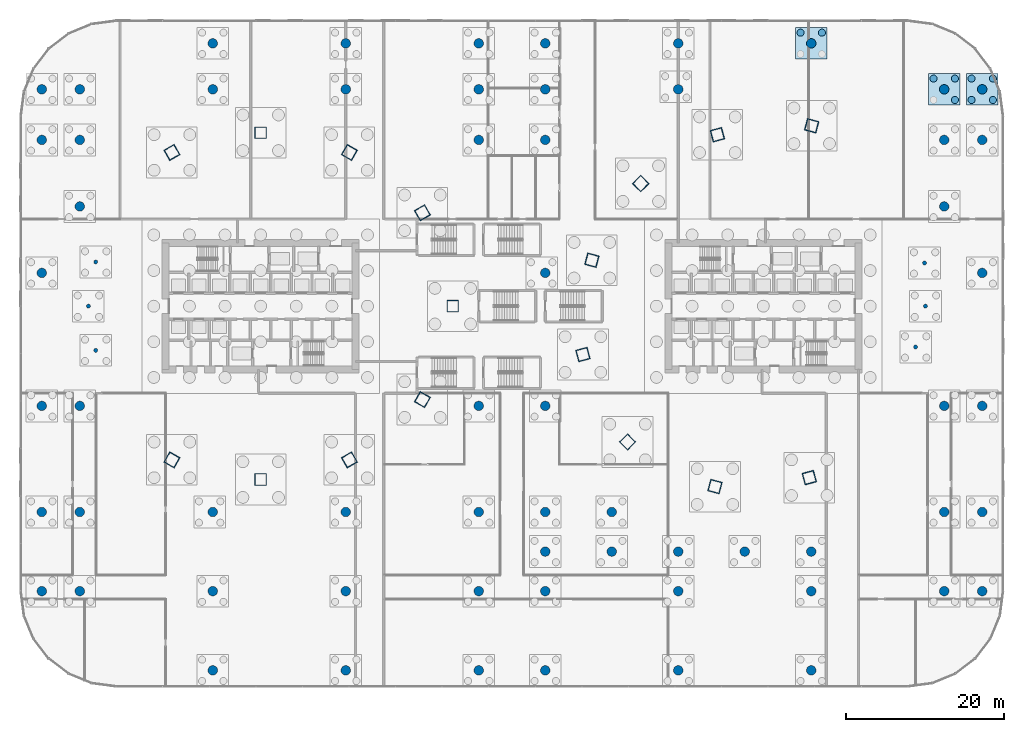
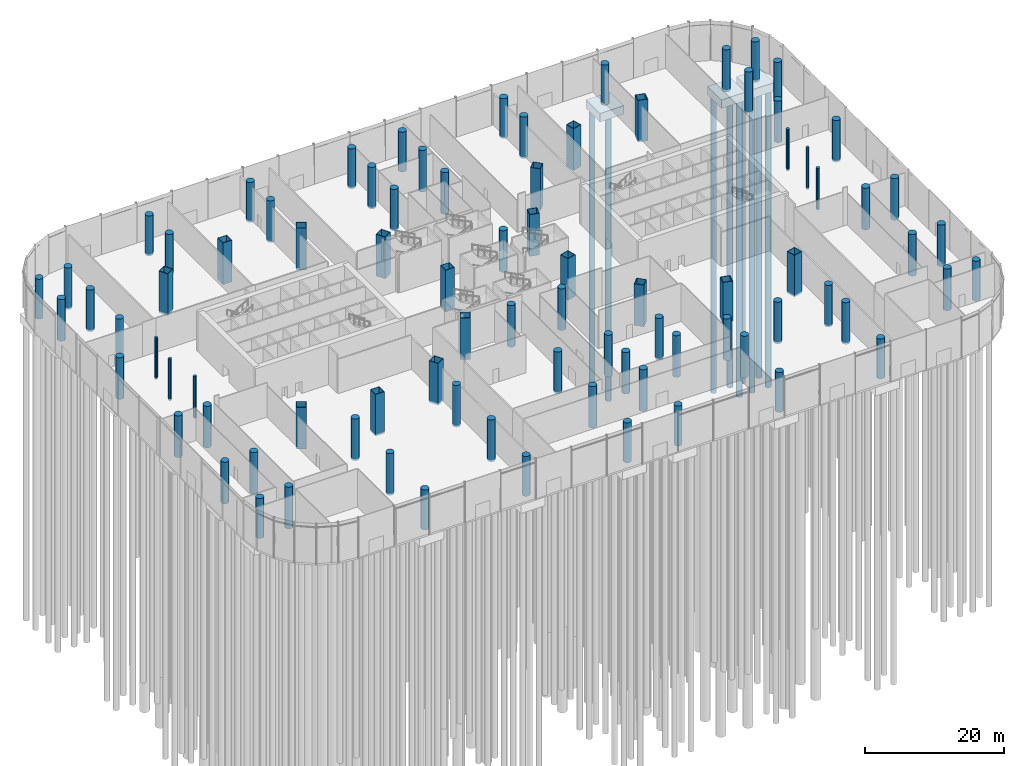
# One storey, part 3 of 41: 85 columns, 9 piles, 3 footings.
"""IFC4 building model written with IfcOpenShell, lengths in metres."""

from ifc_helpers import new_model, si_unit, direction, frame, origin, origin_2d, place, context, subcontext, project, spatial, rectangle, hollow_rectangle, circle, extrude, material, material_profile, profile_set, type_object, element, save


model = new_model("IFC4")

# Units and contexts
model_context = context("Model", 3, precision=1e-05, world=origin(), true_north=direction((0.0, 1.0)))
body_context = subcontext(model_context, "Body", "Model", "MODEL_VIEW")
ifc_project = project(units=[si_unit("LENGTHUNIT", "METRE"), si_unit("AREAUNIT", "SQUARE_METRE"), si_unit("VOLUMEUNIT", "CUBIC_METRE"), si_unit("PLANEANGLEUNIT", "RADIAN"), si_unit("MASSUNIT", "GRAM", prefix="KILO")], contexts=[model_context])

# Site, building, storey
site_placement = place(None, origin())
site = spatial("IfcSite", under=ifc_project, at=site_placement, CompositionType="ELEMENT")
building_placement = place(site_placement, origin())
building = spatial("IfcBuilding", under=site, at=building_placement, Name="Rimbun Link Towers", CompositionType="ELEMENT")
storey_placement = place(building_placement, origin())
storey = spatial("IfcBuildingStorey", under=building, at=storey_placement, Name="L00", CompositionType="ELEMENT", Elevation=0.0)

# Footings
ifc_material_1 = material(Name="Concrete C50/60", Category="concrete")
footing_type = type_object("IfcFootingType", Name="PILE CAP 4000x4000x1500", PredefinedType="PILE_CAP", material=ifc_material_1)
for number, where, z_axis, x_axis, name in (
    (1, (37.800048828125, 33.199951171875, -1.800048828125), (0.0, 0.0, 1.0), (1.0, 0.0, 0.0), "Pad cap +37.8 +33.2"),
    (2, (54.60009765625, 27.39990234375, -1.800048828125), (0.0, 0.0, 1.0), (1.0, 0.0, 0.0), "Pad cap +54.6 +27.4"),
    (3, (59.39990234375, 27.39990234375, -1.800048828125), (0.0, 0.0, 1.0), (1.0, 0.0, 0.0), "Pad cap +59.4 +27.4"),
):
    element("IfcFooting", number, at=place(storey_placement, frame(where, z_axis=z_axis, x_axis=x_axis)), inside=storey, type_object=footing_type, Name=name, PredefinedType="PILE_CAP", context=body_context, shape_type="SweptSolid", body=[
        extrude(rectangle(XDim=4.0, YDim=4.0, at=origin_2d()), origin(), (0.0, 0.0, 1.0), 1.5),
    ])

# Piles
ifc_material_2 = material(Name="Concrete C40/50", Category="concrete")
ifc_material_profile_1 = material_profile(ifc_material_2, circle(Radius=0.449951171875, at=origin_2d()), Name="PILE D900")
ifc_profile_set_1 = profile_set([ifc_material_profile_1], Name="Concrete C40/50")
pile_type = type_object("IfcPileType", Name="PILE D900", PredefinedType="BORED", material=ifc_profile_set_1)
for number, where, z_axis, x_axis, name in (
    (4, (36.449951171875, 34.550048828125, -1.699951171875), (0.0, 0.0, -1.0), (1.0, 0.0, 0.0), "Pile PD +37.8 +33.2 02"),
    (5, (39.14990234375, 34.550048828125, -1.699951171875), (0.0, 0.0, -1.0), (1.0, 0.0, 0.0), "Pile PD +37.8 +33.2 04"),
    (6, (53.25, 28.75, -1.699951171875), (0.0, 0.0, -1.0), (1.0, 0.0, 0.0), "Pile PD +54.6 +27.4 02"),
    (7, (55.949951171875, 26.050048828125, -1.699951171875), (0.0, 0.0, -1.0), (1.0, 0.0, 0.0), "Pile PD +54.6 +27.4 03"),
    (8, (55.949951171875, 28.75, -1.699951171875), (0.0, 0.0, -1.0), (1.0, 0.0, 0.0), "Pile PD +54.6 +27.4 04"),
    (9, (58.050048828125, 26.050048828125, -1.699951171875), (0.0, 0.0, -1.0), (1.0, 0.0, 0.0), "Pile PD +59.4 +27.4 01"),
    (10, (58.050048828125, 28.75, -1.699951171875), (0.0, 0.0, -1.0), (1.0, 0.0, 0.0), "Pile PD +59.4 +27.4 02"),
    (11, (60.75, 26.050048828125, -1.699951171875), (0.0, 0.0, -1.0), (1.0, 0.0, 0.0), "Pile PD +59.4 +27.4 03"),
    (12, (60.75, 28.75, -1.699951171875), (0.0, 0.0, -1.0), (1.0, 0.0, 0.0), "Pile PD +59.4 +27.4 04"),
):
    element("IfcPile", number, at=place(storey_placement, frame(where, z_axis=z_axis, x_axis=x_axis)), inside=storey, type_object=pile_type, Name=name, PredefinedType="BORED", context=body_context, shape_type="SweptSolid", body=[
        extrude(circle(Radius=0.449951171875, at=origin_2d()), origin(), (0.0, 0.0, 1.0), 52.0),
    ])

# Columns
ifc_material_3 = material(Name="Steel S460N", Category="steel")
ifc_material_profile_2 = material_profile(ifc_material_3, hollow_rectangle(XDim=1.5, YDim=1.5, WallThickness=0.070068359375, at=origin_2d()), Name="BOX 1500x1500x70")
ifc_profile_set_2 = profile_set([ifc_material_profile_2], Name="Steel S460N")
column_type_1 = type_object("IfcColumnType", Name="BOX 1500x1500x70", PredefinedType="COLUMN", material=ifc_profile_set_2)
for number, where, z_axis, x_axis, name in (
    (13, (-7.4873046875, 0.0, -0.300048828125), (0.0, 0.0, 1.0), (1.0, 0.0, 0.0), "Mega column T1 L00 00"),
    (14, (-11.316650390625, 11.797119140625, -0.300048828125), (0.0, 0.0, 1.0), (0.866025403784, 0.5, 0.0), "Mega column T1 L00 02"),
    (15, (-20.538818359375, 19.418212890625, -0.300048828125), (0.0, 0.0, 1.0), (0.5, 0.866025403784, 0.0), "Mega column T1 L00 04"),
    (16, (-31.75, 21.904296875, -0.300048828125), (0.0, 0.0, 1.0), (0.0, 1.0, 0.0), "Mega column T1 L00 06"),
    (17, (-42.961181640625, 19.418212890625, -0.300048828125), (0.0, 0.0, 1.0), (-0.5, 0.866025403784, 0.0), "Mega column T1 L00 08"),
    (18, (-42.961181640625, -19.418212890625, -0.300048828125), (0.0, 0.0, 1.0), (-0.5, -0.866025403784, 0.0), "Mega column T1 L00 16"),
    (19, (-31.75, -21.904296875, -0.300048828125), (0.0, 0.0, 1.0), (0.0, -1.0, 0.0), "Mega column T1 L00 18"),
    (20, (-20.538818359375, -19.418212890625, -0.300048828125), (0.0, 0.0, 1.0), (0.5, -0.866025403784, 0.0), "Mega column T1 L00 20"),
    (21, (-11.316650390625, -11.797119140625, -0.300048828125), (0.0, 0.0, 1.0), (0.866025403784, -0.5, 0.0), "Mega column T1 L00 22"),
    (22, (37.856689453125, 22.790283203125, -0.300048828125), (0.0, 0.0, 1.0), (0.258819045103, 0.965925826289, 0.0), "Mega column T2 L00 02"),
    (23, (25.94677734375, 21.658203125, -0.300048828125), (0.0, 0.0, 1.0), (-0.258819045103, 0.965925826289, 0.0), "Mega column T2 L00 04"),
    (24, (16.261474609375, 15.488525390625, -0.300048828125), (0.0, 0.0, 1.0), (-0.707106781187, 0.707106781187, 0.0), "Mega column T2 L00 06"),
    (25, (10.091796875, 5.80322265625, -0.300048828125), (0.0, 0.0, 1.0), (-0.965925826289, 0.258819045103, 0.0), "Mega column T2 L00 08"),
    (26, (8.959716796875, -6.106689453125, -0.300048828125), (0.0, 0.0, 1.0), (-0.965925826289, -0.258819045103, 0.0), "Mega column T2 L00 10"),
    (27, (14.59375, -17.15625, -0.300048828125), (0.0, 0.0, 1.0), (-0.707106781187, -0.707106781187, 0.0), "Mega column T2 L00 12"),
    (28, (25.643310546875, -22.790283203125, -0.300048828125), (0.0, 0.0, 1.0), (-0.258819045103, -0.965925826289, 0.0), "Mega column T2 L00 14"),
    (29, (37.55322265625, -21.658203125, -0.300048828125), (0.0, 0.0, 1.0), (0.258819045103, -0.965925826289, 0.0), "Mega column T2 L00 16"),
):
    element("IfcColumn", number, at=place(storey_placement, frame(where, z_axis=z_axis, x_axis=x_axis)), inside=storey, type_object=column_type_1, Name=name, PredefinedType="COLUMN", context=body_context, shape_type="SweptSolid", body=[
        extrude(hollow_rectangle(XDim=1.5, YDim=1.5, WallThickness=0.070068359375, at=origin_2d()), origin(), (0.0, 0.0, 1.0), 7.300048828125),
    ])
ifc_material_4 = material(Name="Concrete C80/95", Category="concrete")
ifc_material_profile_3 = material_profile(ifc_material_4, circle(Radius=0.60009765625, at=origin_2d()), Name="RC D1200")
ifc_profile_set_3 = profile_set([ifc_material_profile_3], Name="Concrete C80/95")
column_type_2 = type_object("IfcColumnType", Name="RC D1200", PredefinedType="COLUMN", material=ifc_profile_set_3)
column_1_placement = place(storey_placement, frame((-59.39990234375, -36.0, -0.300048828125), z_axis=(0.0, 0.0, 1.0), x_axis=(1.0, 0.0, 0.0)))
element("IfcColumn", 30, at=column_1_placement, inside=storey, type_object=column_type_2, Name="Column L00 -59.4 -36.0", PredefinedType="COLUMN", context=body_context, shape_type="SweptSolid", body=[
    extrude(circle(Radius=0.60009765625, at=origin_2d()), origin(), (0.0, 0.0, 1.0), 7.0),
])
for number, where, z_axis, x_axis, name in (
    (31, (-59.39990234375, -26.0, -0.300048828125), (0.0, 0.0, 1.0), (1.0, 0.0, 0.0), "Column L00 -59.4 -26.0"),
    (32, (-59.39990234375, -12.60009765625, -0.300048828125), (0.0, 0.0, 1.0), (1.0, 0.0, 0.0), "Column L00 -59.4 -12.6"),
    (33, (-59.39990234375, 4.199951171875, -0.300048828125), (0.0, 0.0, 1.0), (1.0, 0.0, 0.0), "Column L00 -59.4 +4.2"),
    (34, (-59.39990234375, 21.0, -0.300048828125), (0.0, 0.0, 1.0), (1.0, 0.0, 0.0), "Column L00 -59.4 +21.0"),
):
    element("IfcColumn", number, at=place(storey_placement, frame(where, z_axis=z_axis, x_axis=x_axis)), inside=storey, type_object=column_type_2, Name=name, PredefinedType="COLUMN", context=body_context, shape_type="SweptSolid", body=[
        extrude(circle(Radius=0.60009765625, at=origin_2d()), origin(), (0.0, 0.0, 1.0), 7.300048828125),
    ])
column_2_placement = place(storey_placement, frame((-59.39990234375, 27.39990234375, -0.300048828125), z_axis=(0.0, 0.0, 1.0), x_axis=(1.0, 0.0, 0.0)))
element("IfcColumn", 35, at=column_2_placement, inside=storey, type_object=column_type_2, Name="Column L00 -59.4 +27.4", PredefinedType="COLUMN", context=body_context, shape_type="SweptSolid", body=[
    extrude(circle(Radius=0.60009765625, at=origin_2d()), origin(), (0.0, 0.0, 1.0), 7.0),
])
for number, where, z_axis, x_axis, name in (
    (36, (-54.60009765625, -36.0, -0.300048828125), (0.0, 0.0, 1.0), (1.0, 0.0, 0.0), "Column L00 -54.6 -36.0"),
    (37, (-54.60009765625, -26.0, -0.300048828125), (0.0, 0.0, 1.0), (1.0, 0.0, 0.0), "Column L00 -54.6 -26.0"),
    (38, (-54.60009765625, -12.60009765625, -0.300048828125), (0.0, 0.0, 1.0), (1.0, 0.0, 0.0), "Column L00 -54.6 -12.6"),
    (39, (-54.60009765625, 12.60009765625, -0.300048828125), (0.0, 0.0, 1.0), (1.0, 0.0, 0.0), "Column L00 -54.6 +12.6"),
    (40, (-54.60009765625, 21.0, -0.300048828125), (0.0, 0.0, 1.0), (1.0, 0.0, 0.0), "Column L00 -54.6 +21.0"),
    (41, (-54.60009765625, 27.39990234375, -0.300048828125), (0.0, 0.0, 1.0), (1.0, 0.0, 0.0), "Column L00 -54.6 +27.4"),
):
    element("IfcColumn", number, at=place(storey_placement, frame(where, z_axis=z_axis, x_axis=x_axis)), inside=storey, type_object=column_type_2, Name=name, PredefinedType="COLUMN", context=body_context, shape_type="SweptSolid", body=[
        extrude(circle(Radius=0.60009765625, at=origin_2d()), origin(), (0.0, 0.0, 1.0), 7.300048828125),
    ])
column_3_placement = place(storey_placement, frame((-37.800048828125, -46.0, -0.300048828125), z_axis=(0.0, 0.0, 1.0), x_axis=(1.0, 0.0, 0.0)))
element("IfcColumn", 42, at=column_3_placement, inside=storey, type_object=column_type_2, Name="Column L00 -37.8 -46.0", PredefinedType="COLUMN", context=body_context, shape_type="SweptSolid", body=[
    extrude(circle(Radius=0.60009765625, at=origin_2d()), origin(), (0.0, 0.0, 1.0), 7.0),
])
for number, where, z_axis, x_axis, name in (
    (43, (-37.800048828125, -36.0, -0.300048828125), (0.0, 0.0, 1.0), (1.0, 0.0, 0.0), "Column L00 -37.8 -36.0"),
    (44, (-37.800048828125, -26.0, -0.300048828125), (0.0, 0.0, 1.0), (1.0, 0.0, 0.0), "Column L00 -37.8 -26.0"),
    (45, (-37.800048828125, 27.39990234375, -0.300048828125), (0.0, 0.0, 1.0), (1.0, 0.0, 0.0), "Column L00 -37.8 +27.4"),
):
    element("IfcColumn", number, at=place(storey_placement, frame(where, z_axis=z_axis, x_axis=x_axis)), inside=storey, type_object=column_type_2, Name=name, PredefinedType="COLUMN", context=body_context, shape_type="SweptSolid", body=[
        extrude(circle(Radius=0.60009765625, at=origin_2d()), origin(), (0.0, 0.0, 1.0), 7.300048828125),
    ])
for number, where, z_axis, x_axis, name in (
    (46, (-37.800048828125, 33.199951171875, -0.300048828125), (0.0, 0.0, 1.0), (1.0, 0.0, 0.0), "Column L00 -37.8 +33.2"),
    (47, (-21.0, -46.0, -0.300048828125), (0.0, 0.0, 1.0), (1.0, 0.0, 0.0), "Column L00 -21.0 -46.0"),
):
    element("IfcColumn", number, at=place(storey_placement, frame(where, z_axis=z_axis, x_axis=x_axis)), inside=storey, type_object=column_type_2, Name=name, PredefinedType="COLUMN", context=body_context, shape_type="SweptSolid", body=[
        extrude(circle(Radius=0.60009765625, at=origin_2d()), origin(), (0.0, 0.0, 1.0), 7.0),
    ])
for number, where, z_axis, x_axis, name in (
    (48, (-21.0, -36.0, -0.300048828125), (0.0, 0.0, 1.0), (1.0, 0.0, 0.0), "Column L00 -21.0 -36.0"),
    (49, (-21.0, -26.0, -0.300048828125), (0.0, 0.0, 1.0), (1.0, 0.0, 0.0), "Column L00 -21.0 -26.0"),
    (50, (-21.0, 27.39990234375, -0.300048828125), (0.0, 0.0, 1.0), (1.0, 0.0, 0.0), "Column L00 -21.0 +27.4"),
):
    element("IfcColumn", number, at=place(storey_placement, frame(where, z_axis=z_axis, x_axis=x_axis)), inside=storey, type_object=column_type_2, Name=name, PredefinedType="COLUMN", context=body_context, shape_type="SweptSolid", body=[
        extrude(circle(Radius=0.60009765625, at=origin_2d()), origin(), (0.0, 0.0, 1.0), 7.300048828125),
    ])
for number, where, z_axis, x_axis, name in (
    (51, (-21.0, 33.199951171875, -0.300048828125), (0.0, 0.0, 1.0), (1.0, 0.0, 0.0), "Column L00 -21.0 +33.2"),
    (52, (-4.199951171875, -46.0, -0.300048828125), (0.0, 0.0, 1.0), (1.0, 0.0, 0.0), "Column L00 -4.2 -46.0"),
):
    element("IfcColumn", number, at=place(storey_placement, frame(where, z_axis=z_axis, x_axis=x_axis)), inside=storey, type_object=column_type_2, Name=name, PredefinedType="COLUMN", context=body_context, shape_type="SweptSolid", body=[
        extrude(circle(Radius=0.60009765625, at=origin_2d()), origin(), (0.0, 0.0, 1.0), 7.0),
    ])
for number, where, z_axis, x_axis, name in (
    (53, (-4.199951171875, -36.0, -0.300048828125), (0.0, 0.0, 1.0), (1.0, 0.0, 0.0), "Column L00 -4.2 -36.0"),
    (54, (-4.199951171875, -26.0, -0.300048828125), (0.0, 0.0, 1.0), (1.0, 0.0, 0.0), "Column L00 -4.2 -26.0"),
    (55, (-4.199951171875, -12.60009765625, -0.300048828125), (0.0, 0.0, 1.0), (1.0, 0.0, 0.0), "Column L00 -4.2 -12.6"),
    (56, (-4.199951171875, 21.0, -0.300048828125), (0.0, 0.0, 1.0), (1.0, 0.0, 0.0), "Column L00 -4.2 +21.0"),
    (57, (-4.199951171875, 27.39990234375, -0.300048828125), (0.0, 0.0, 1.0), (1.0, 0.0, 0.0), "Column L00 -4.2 +27.4"),
):
    element("IfcColumn", number, at=place(storey_placement, frame(where, z_axis=z_axis, x_axis=x_axis)), inside=storey, type_object=column_type_2, Name=name, PredefinedType="COLUMN", context=body_context, shape_type="SweptSolid", body=[
        extrude(circle(Radius=0.60009765625, at=origin_2d()), origin(), (0.0, 0.0, 1.0), 7.300048828125),
    ])
for number, where, z_axis, x_axis, name in (
    (58, (-4.199951171875, 33.199951171875, -0.300048828125), (0.0, 0.0, 1.0), (1.0, 0.0, 0.0), "Column L00 -4.2 +33.2"),
    (59, (4.199951171875, -46.0, -0.300048828125), (0.0, 0.0, 1.0), (1.0, 0.0, 0.0), "Column L00 +4.2 -46.0"),
):
    element("IfcColumn", number, at=place(storey_placement, frame(where, z_axis=z_axis, x_axis=x_axis)), inside=storey, type_object=column_type_2, Name=name, PredefinedType="COLUMN", context=body_context, shape_type="SweptSolid", body=[
        extrude(circle(Radius=0.60009765625, at=origin_2d()), origin(), (0.0, 0.0, 1.0), 7.0),
    ])
for number, where, z_axis, x_axis, name in (
    (60, (4.199951171875, -36.0, -0.300048828125), (0.0, 0.0, 1.0), (1.0, 0.0, 0.0), "Column L00 +4.2 -36.0"),
    (61, (4.199951171875, -31.0, -0.300048828125), (0.0, 0.0, 1.0), (1.0, 0.0, 0.0), "Column L00 +4.2 -31.0"),
    (62, (4.199951171875, -26.0, -0.300048828125), (0.0, 0.0, 1.0), (1.0, 0.0, 0.0), "Column L00 +4.2 -26.0"),
    (63, (4.199951171875, -12.60009765625, -0.300048828125), (0.0, 0.0, 1.0), (1.0, 0.0, 0.0), "Column L00 +4.2 -12.6"),
    (64, (4.199951171875, 4.199951171875, -0.300048828125), (0.0, 0.0, 1.0), (1.0, 0.0, 0.0), "Column L00 +4.2 +4.2"),
    (65, (4.199951171875, 21.0, -0.300048828125), (0.0, 0.0, 1.0), (1.0, 0.0, 0.0), "Column L00 +4.2 +21.0"),
    (66, (4.199951171875, 27.39990234375, -0.300048828125), (0.0, 0.0, 1.0), (1.0, 0.0, 0.0), "Column L00 +4.2 +27.4"),
):
    element("IfcColumn", number, at=place(storey_placement, frame(where, z_axis=z_axis, x_axis=x_axis)), inside=storey, type_object=column_type_2, Name=name, PredefinedType="COLUMN", context=body_context, shape_type="SweptSolid", body=[
        extrude(circle(Radius=0.60009765625, at=origin_2d()), origin(), (0.0, 0.0, 1.0), 7.300048828125),
    ])
column_4_placement = place(storey_placement, frame((4.199951171875, 33.199951171875, -0.300048828125), z_axis=(0.0, 0.0, 1.0), x_axis=(1.0, 0.0, 0.0)))
element("IfcColumn", 67, at=column_4_placement, inside=storey, type_object=column_type_2, Name="Column L00 +4.2 +33.2", PredefinedType="COLUMN", context=body_context, shape_type="SweptSolid", body=[
    extrude(circle(Radius=0.60009765625, at=origin_2d()), origin(), (0.0, 0.0, 1.0), 7.0),
])
for number, where, z_axis, x_axis, name in (
    (68, (12.60009765625, -31.0, -0.300048828125), (0.0, 0.0, 1.0), (1.0, 0.0, 0.0), "Column L00 +12.6 -31.0"),
    (69, (12.60009765625, -26.0, -0.300048828125), (0.0, 0.0, 1.0), (1.0, 0.0, 0.0), "Column L00 +12.6 -26.0"),
):
    element("IfcColumn", number, at=place(storey_placement, frame(where, z_axis=z_axis, x_axis=x_axis)), inside=storey, type_object=column_type_2, Name=name, PredefinedType="COLUMN", context=body_context, shape_type="SweptSolid", body=[
        extrude(circle(Radius=0.60009765625, at=origin_2d()), origin(), (0.0, 0.0, 1.0), 7.300048828125),
    ])
column_5_placement = place(storey_placement, frame((21.0, -46.0, -0.300048828125), z_axis=(0.0, 0.0, 1.0), x_axis=(1.0, 0.0, 0.0)))
element("IfcColumn", 70, at=column_5_placement, inside=storey, type_object=column_type_2, Name="Column L00 +21.0 -46.0", PredefinedType="COLUMN", context=body_context, shape_type="SweptSolid", body=[
    extrude(circle(Radius=0.60009765625, at=origin_2d()), origin(), (0.0, 0.0, 1.0), 7.0),
])
for number, where, z_axis, x_axis, name in (
    (71, (21.0, -36.0, -0.300048828125), (0.0, 0.0, 1.0), (1.0, 0.0, 0.0), "Column L00 +21.0 -36.0"),
    (72, (21.0, -31.0, -0.300048828125), (0.0, 0.0, 1.0), (1.0, 0.0, 0.0), "Column L00 +21.0 -31.0"),
    (73, (21.0, 27.39990234375, -0.300048828125), (0.0, 0.0, 1.0), (1.0, 0.0, 0.0), "Column L00 +21.0 +27.4"),
):
    element("IfcColumn", number, at=place(storey_placement, frame(where, z_axis=z_axis, x_axis=x_axis)), inside=storey, type_object=column_type_2, Name=name, PredefinedType="COLUMN", context=body_context, shape_type="SweptSolid", body=[
        extrude(circle(Radius=0.60009765625, at=origin_2d()), origin(), (0.0, 0.0, 1.0), 7.300048828125),
    ])
column_6_placement = place(storey_placement, frame((21.0, 33.199951171875, -0.300048828125), z_axis=(0.0, 0.0, 1.0), x_axis=(1.0, 0.0, 0.0)))
element("IfcColumn", 74, at=column_6_placement, inside=storey, type_object=column_type_2, Name="Column L00 +21.0 +33.2", PredefinedType="COLUMN", context=body_context, shape_type="SweptSolid", body=[
    extrude(circle(Radius=0.60009765625, at=origin_2d()), origin(), (0.0, 0.0, 1.0), 7.0),
])
column_7_placement = place(storey_placement, frame((29.39990234375, -31.0, -0.300048828125), z_axis=(0.0, 0.0, 1.0), x_axis=(1.0, 0.0, 0.0)))
element("IfcColumn", 75, at=column_7_placement, inside=storey, type_object=column_type_2, Name="Column L00 +29.4 -31.0", PredefinedType="COLUMN", context=body_context, shape_type="SweptSolid", body=[
    extrude(circle(Radius=0.60009765625, at=origin_2d()), origin(), (0.0, 0.0, 1.0), 7.300048828125),
])
column_8_placement = place(storey_placement, frame((37.800048828125, -46.0, -0.300048828125), z_axis=(0.0, 0.0, 1.0), x_axis=(1.0, 0.0, 0.0)))
element("IfcColumn", 76, at=column_8_placement, inside=storey, type_object=column_type_2, Name="Column L00 +37.8 -46.0", PredefinedType="COLUMN", context=body_context, shape_type="SweptSolid", body=[
    extrude(circle(Radius=0.60009765625, at=origin_2d()), origin(), (0.0, 0.0, 1.0), 7.0),
])
for number, where, z_axis, x_axis, name in (
    (77, (37.800048828125, -36.0, -0.300048828125), (0.0, 0.0, 1.0), (1.0, 0.0, 0.0), "Column L00 +37.8 -36.0"),
    (78, (37.800048828125, -31.0, -0.300048828125), (0.0, 0.0, 1.0), (1.0, 0.0, 0.0), "Column L00 +37.8 -31.0"),
):
    element("IfcColumn", number, at=place(storey_placement, frame(where, z_axis=z_axis, x_axis=x_axis)), inside=storey, type_object=column_type_2, Name=name, PredefinedType="COLUMN", context=body_context, shape_type="SweptSolid", body=[
        extrude(circle(Radius=0.60009765625, at=origin_2d()), origin(), (0.0, 0.0, 1.0), 7.300048828125),
    ])
column_9_placement = place(storey_placement, frame((37.800048828125, 33.199951171875, -0.300048828125), z_axis=(0.0, 0.0, 1.0), x_axis=(1.0, 0.0, 0.0)))
element("IfcColumn", 79, at=column_9_placement, inside=storey, type_object=column_type_2, Name="Column L00 +37.8 +33.2", PredefinedType="COLUMN", context=body_context, shape_type="SweptSolid", body=[
    extrude(circle(Radius=0.60009765625, at=origin_2d()), origin(), (0.0, 0.0, 1.0), 7.0),
])
for number, where, z_axis, x_axis, name in (
    (80, (54.60009765625, -36.0, -0.300048828125), (0.0, 0.0, 1.0), (1.0, 0.0, 0.0), "Column L00 +54.6 -36.0"),
    (81, (54.60009765625, -26.0, -0.300048828125), (0.0, 0.0, 1.0), (1.0, 0.0, 0.0), "Column L00 +54.6 -26.0"),
    (82, (54.60009765625, -12.60009765625, -0.300048828125), (0.0, 0.0, 1.0), (1.0, 0.0, 0.0), "Column L00 +54.6 -12.6"),
    (83, (54.60009765625, 12.60009765625, -0.300048828125), (0.0, 0.0, 1.0), (1.0, 0.0, 0.0), "Column L00 +54.6 +12.6"),
    (84, (54.60009765625, 21.0, -0.300048828125), (0.0, 0.0, 1.0), (1.0, 0.0, 0.0), "Column L00 +54.6 +21.0"),
    (85, (54.60009765625, 27.39990234375, -0.300048828125), (0.0, 0.0, 1.0), (1.0, 0.0, 0.0), "Column L00 +54.6 +27.4"),
):
    element("IfcColumn", number, at=place(storey_placement, frame(where, z_axis=z_axis, x_axis=x_axis)), inside=storey, type_object=column_type_2, Name=name, PredefinedType="COLUMN", context=body_context, shape_type="SweptSolid", body=[
        extrude(circle(Radius=0.60009765625, at=origin_2d()), origin(), (0.0, 0.0, 1.0), 7.300048828125),
    ])
column_10_placement = place(storey_placement, frame((59.39990234375, -36.0, -0.300048828125), z_axis=(0.0, 0.0, 1.0), x_axis=(1.0, 0.0, 0.0)))
element("IfcColumn", 86, at=column_10_placement, inside=storey, type_object=column_type_2, Name="Column L00 +59.4 -36.0", PredefinedType="COLUMN", context=body_context, shape_type="SweptSolid", body=[
    extrude(circle(Radius=0.60009765625, at=origin_2d()), origin(), (0.0, 0.0, 1.0), 7.0),
])
for number, where, z_axis, x_axis, name in (
    (87, (59.39990234375, -26.0, -0.300048828125), (0.0, 0.0, 1.0), (1.0, 0.0, 0.0), "Column L00 +59.4 -26.0"),
    (88, (59.39990234375, -12.60009765625, -0.300048828125), (0.0, 0.0, 1.0), (1.0, 0.0, 0.0), "Column L00 +59.4 -12.6"),
    (89, (59.39990234375, 4.199951171875, -0.300048828125), (0.0, 0.0, 1.0), (1.0, 0.0, 0.0), "Column L00 +59.4 +4.2"),
    (90, (59.39990234375, 21.0, -0.300048828125), (0.0, 0.0, 1.0), (1.0, 0.0, 0.0), "Column L00 +59.4 +21.0"),
):
    element("IfcColumn", number, at=place(storey_placement, frame(where, z_axis=z_axis, x_axis=x_axis)), inside=storey, type_object=column_type_2, Name=name, PredefinedType="COLUMN", context=body_context, shape_type="SweptSolid", body=[
        extrude(circle(Radius=0.60009765625, at=origin_2d()), origin(), (0.0, 0.0, 1.0), 7.300048828125),
    ])
column_11_placement = place(storey_placement, frame((59.39990234375, 27.39990234375, -0.300048828125), z_axis=(0.0, 0.0, 1.0), x_axis=(1.0, 0.0, 0.0)))
element("IfcColumn", 91, at=column_11_placement, inside=storey, type_object=column_type_2, Name="Column L00 +59.4 +27.4", PredefinedType="COLUMN", context=body_context, shape_type="SweptSolid", body=[
    extrude(circle(Radius=0.60009765625, at=origin_2d()), origin(), (0.0, 0.0, 1.0), 7.0),
])
ifc_material_5 = material(Name="Concrete C80/95", Category="concrete")
ifc_material_profile_4 = material_profile(ifc_material_5, circle(Radius=0.25, at=origin_2d()), Name="RC D500")
ifc_profile_set_4 = profile_set([ifc_material_profile_4], Name="Concrete C80/95")
column_type_3 = type_object("IfcColumnType", Name="RC D500", PredefinedType="COLUMN", material=ifc_profile_set_4)
for number, where, z_axis, x_axis, name in (
    (92, (-52.58642578125, 5.5830078125, -0.300048828125), (0.0, 0.0, 1.0), (1.0, 0.0, 0.0), "Recess post T1 L00 11"),
    (93, (-53.50927734375, 0.0, -0.300048828125), (0.0, 0.0, 1.0), (1.0, 0.0, 0.0), "Recess post T1 L00 12"),
    (94, (-52.58642578125, -5.5830078125, -0.300048828125), (0.0, 0.0, 1.0), (1.0, 0.0, 0.0), "Recess post T1 L00 13"),
    (95, (50.98828125, -5.15478515625, -0.300048828125), (0.0, 0.0, 1.0), (1.0, 0.0, 0.0), "Recess post T2 L00 20"),
    (96, (52.226318359375, 0.0, -0.300048828125), (0.0, 0.0, 1.0), (1.0, 0.0, 0.0), "Recess post T2 L00 21"),
    (97, (52.118408203125, 5.457763671875, -0.300048828125), (0.0, 0.0, 1.0), (1.0, 0.0, 0.0), "Recess post T2 L00 22"),
):
    element("IfcColumn", number, at=place(storey_placement, frame(where, z_axis=z_axis, x_axis=x_axis)), inside=storey, type_object=column_type_3, Name=name, PredefinedType="COLUMN", context=body_context, shape_type="SweptSolid", body=[
        extrude(circle(Radius=0.25, at=origin_2d()), origin(), (0.0, 0.0, 1.0), 7.300048828125),
    ])

save(model, "model.ifc")
